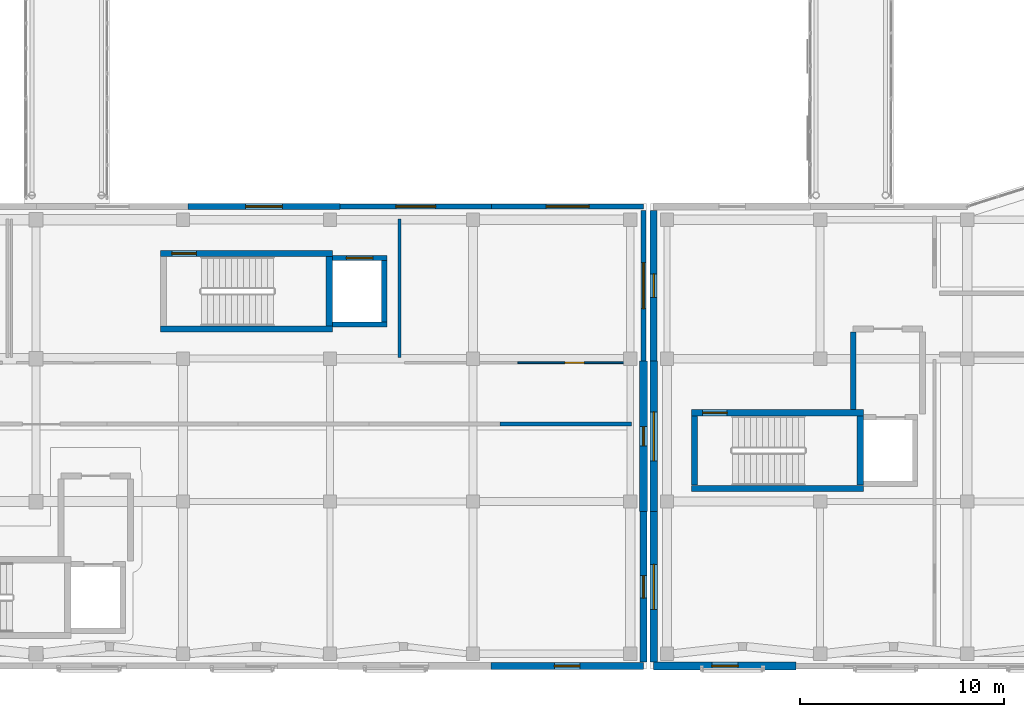
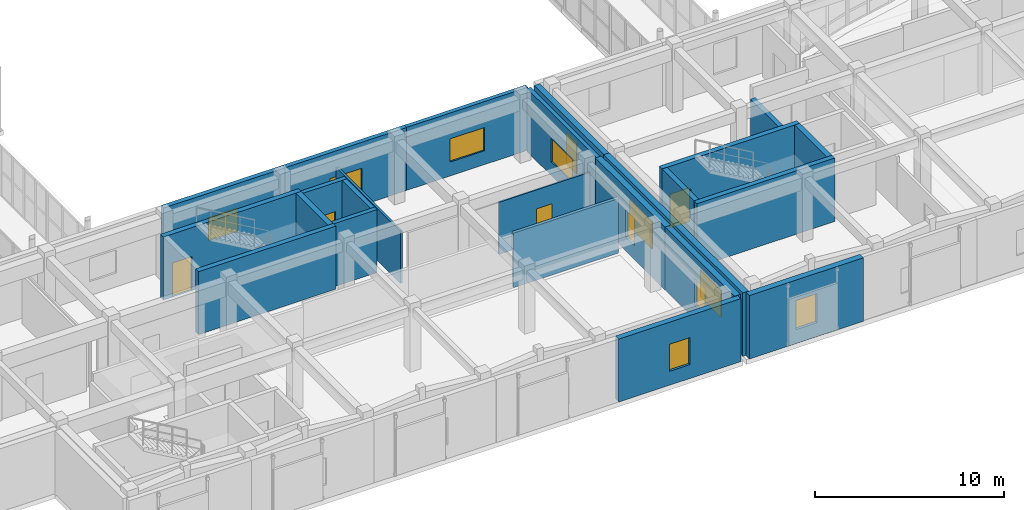
# One storey, part 118 of 142: 25 walls, 11 windows, 4 doors, 15 openings.
"""IFC4 building model written with IfcOpenShell, lengths in metres."""

from ifc_helpers import new_model, si_unit, direction, frame, frame_2d, origin, place, context, subcontext, project, spatial, rectangle, extrude, material, layer, layer_set, type_object, element, fill, save


model = new_model("IFC4")

# Units and contexts
model_context = context("Model", 3, precision=1e-05, world=origin(), true_north=direction((0.0, 1.0)))
body_context = subcontext(model_context, "Body", "Model", "MODEL_VIEW")
ifc_project = project(units=[si_unit("LENGTHUNIT", "METRE"), si_unit("AREAUNIT", "SQUARE_METRE"), si_unit("VOLUMEUNIT", "CUBIC_METRE"), si_unit("PLANEANGLEUNIT", "RADIAN"), si_unit("MASSUNIT", "GRAM", prefix="KILO")], contexts=[model_context])

# Site, building, storey
site_placement = place(None, origin())
site = spatial("IfcSite", under=ifc_project, at=site_placement, CompositionType="ELEMENT")
building_placement = place(site_placement, origin())
building = spatial("IfcBuilding", under=site, at=building_placement, Name="Valcora Specialist Clinic", CompositionType="ELEMENT")
storey_placement = place(building_placement, frame((0.0, 0.0, 5.10009765625)))
storey = spatial("IfcBuildingStorey", under=building, at=storey_placement, Name="L01", CompositionType="ELEMENT", Elevation=5.10009765625)

# Walls
ifc_material_1 = material(Name="Concrete C40/50", Category="concrete")
ifc_layer_1 = layer(ifc_material_1, 0.284912109375)
ifc_layer_set_1 = layer_set([ifc_layer_1], Name="Concrete C40/50")
wall_type_1 = type_object("IfcWallType", Name="TY-WL-CR285", PredefinedType="SHEAR", material=ifc_layer_set_1)
wall_1_placement = place(storey_placement, frame((63.419921875, 12.719970703125, 0.0), z_axis=(0.0, 0.0, 1.0), x_axis=(0.0, 1.0, 0.0)))
element("IfcWall", 1, at=wall_1_placement, inside=storey, type_object=wall_type_1, Name="Firefighting lobby west wall", PredefinedType="SHEAR", context=body_context, shape_type="SweptSolid", body=[
    extrude(rectangle(XDim=3.7900390625, YDim=0.284912109375, at=frame_2d((1.89501953125, 0.0))), origin(), (0.0, 0.0, 1.0), 3.40478515625),
])
ifc_layer_2 = layer(ifc_material_1, 0.300048828125)
ifc_layer_set_2 = layer_set([ifc_layer_2], Name="Concrete C40/50")
wall_type_2 = type_object("IfcWallType", Name="TY-WL-CR300", PredefinedType="SHEAR", material=ifc_layer_set_2)
wall_2_placement = place(storey_placement, frame((29.5, 16.64990234375, 0.0), z_axis=(0.0, 0.0, 1.0), x_axis=(1.0, 0.0, 0.0)))
element("IfcWall", 2, at=wall_2_placement, inside=storey, type_object=wall_type_2, Name="Core shear wall WL-CR-C-V5B-L01-S", PredefinedType="SHEAR", context=body_context, shape_type="SweptSolid", body=[
    extrude(rectangle(XDim=8.419921875, YDim=0.300048828125, at=frame_2d((4.2099609375, 0.0))), origin(), (0.0, 0.0, 1.0), 4.074951171875),
])

# Wall, opening, door
wall_3_placement = place(storey_placement, frame((29.5, 20.35009765625, 0.0), z_axis=(0.0, 0.0, 1.0), x_axis=(1.0, 0.0, 0.0)))
wall_3 = element("IfcWall", 3, at=wall_3_placement, inside=storey, type_object=wall_type_2, Name="Core shear wall WL-CR-C-V5B-L01-N", PredefinedType="SHEAR", context=body_context, shape_type="SweptSolid", body=[
    extrude(rectangle(XDim=8.419921875, YDim=0.300048828125, at=frame_2d((4.2099609375, 0.0))), origin(), (0.0, 0.0, 1.0), 4.074951171875),
])
opening_1_placement = place(wall_3_placement, frame((0.550048828125, 0.0, 0.0)))
opening_1 = element("IfcOpeningElement", 4, at=opening_1_placement, cuts=wall_3, Name="Opening DR-FD-120", PredefinedType="OPENING", context=body_context, shape_type="SweptSolid", body=[
    extrude(rectangle(XDim=1.199951171875, YDim=2.199951171875, at=frame_2d((0.60009765625, 1.10009765625))), frame((0.0, 0.159912109375, 0.0), z_axis=(0.0, -1.0, 0.0), x_axis=(1.0, 0.0, 0.0)), (0.0, 0.0, 1.0), 0.320068359375),
])
ifc_material_2 = material(Name="Galvanized Hollow Metal Door Steel ASTM A653", Category="steel")
door_type_1 = type_object("IfcDoorType", Name="TY-DR-ST120", OperationType="NOTDEFINED", PredefinedType="DOOR", material=ifc_material_2)
door_1_placement = place(opening_1_placement, origin())
door_1 = element("IfcDoor", 5, at=door_1_placement, inside=storey, type_object=door_type_1, Name="Exit stair fire door C-V5B L01", OperationType="SINGLE_SWING_RIGHT", OverallHeight=2.199951171875, OverallWidth=1.199951171875, PredefinedType="DOOR", context=body_context, shape_type="SweptSolid", body=[
    extrude(rectangle(XDim=1.199951171875, YDim=2.199951171875, at=frame_2d((0.60009765625, 1.10009765625))), frame((0.0, 0.02490234375, 0.0), z_axis=(0.0, -1.0, 0.0), x_axis=(1.0, 0.0, 0.0)), (0.0, 0.0, 1.0), 0.050048828125),
])
fill(opening_1, door_1)

# Wall
wall_4_placement = place(storey_placement, frame((55.5, 8.85009765625, 0.0), z_axis=(0.0, 0.0, 1.0), x_axis=(1.0, 0.0, 0.0)))
element("IfcWall", 6, at=wall_4_placement, inside=storey, type_object=wall_type_2, Name="Core shear wall WL-CR-C-V6A-L01-S", PredefinedType="SHEAR", context=body_context, shape_type="SweptSolid", body=[
    extrude(rectangle(XDim=8.419921875, YDim=0.300048828125, at=frame_2d((4.2099609375, 0.0))), origin(), (0.0, 0.0, 1.0), 4.10498046875),
])

# Wall, opening, door
wall_5_placement = place(storey_placement, frame((55.5, 12.550048828125, 0.0), z_axis=(0.0, 0.0, 1.0), x_axis=(1.0, 0.0, 0.0)))
wall_5 = element("IfcWall", 7, at=wall_5_placement, inside=storey, type_object=wall_type_2, Name="Core shear wall WL-CR-C-V6A-L01-N", PredefinedType="SHEAR", context=body_context, shape_type="SweptSolid", body=[
    extrude(rectangle(XDim=8.419921875, YDim=0.300048828125, at=frame_2d((4.2099609375, 0.0))), origin(), (0.0, 0.0, 1.0), 4.10498046875),
])
opening_2_placement = place(wall_5_placement, frame((0.550048828125, 0.0, 0.0)))
opening_2 = element("IfcOpeningElement", 8, at=opening_2_placement, cuts=wall_5, Name="Opening DR-FD-120", PredefinedType="OPENING", context=body_context, shape_type="SweptSolid", body=[
    extrude(rectangle(XDim=1.199951171875, YDim=2.199951171875, at=frame_2d((0.60009765625, 1.10009765625))), frame((0.0, 0.159912109375, 0.0), z_axis=(0.0, -1.0, 0.0), x_axis=(1.0, 0.0, 0.0)), (0.0, 0.0, 1.0), 0.320068359375),
])
door_2_placement = place(opening_2_placement, origin())
door_2 = element("IfcDoor", 9, at=door_2_placement, inside=storey, type_object=door_type_1, Name="Exit stair fire door C-V6A L01", OperationType="SINGLE_SWING_LEFT", OverallHeight=2.199951171875, OverallWidth=1.199951171875, PredefinedType="DOOR", context=body_context, shape_type="SweptSolid", body=[
    extrude(rectangle(XDim=1.199951171875, YDim=2.199951171875, at=frame_2d((0.60009765625, 1.10009765625))), frame((0.0, 0.02490234375, 0.0), z_axis=(0.0, -1.0, 0.0), x_axis=(1.0, 0.0, 0.0)), (0.0, 0.0, 1.0), 0.050048828125),
])
fill(opening_2, door_2)

# Walls
wall_6_placement = place(storey_placement, frame((55.64990234375, 9.001953125, 0.0), z_axis=(0.0, 0.0, 1.0), x_axis=(0.0, 1.0, 0.0)))
element("IfcWall", 10, at=wall_6_placement, inside=storey, type_object=wall_type_2, Name="Core shear wall WL-CR-C-V6A-L01-W", PredefinedType="SHEAR", context=body_context, shape_type="SweptSolid", body=[
    extrude(rectangle(XDim=3.39599609375, YDim=0.300048828125, at=frame_2d((1.697998046875, 0.0))), origin(), (0.0, 0.0, 1.0), 4.10498046875),
])
ifc_layer_3 = layer(ifc_material_1, 0.320068359375)
ifc_layer_set_3 = layer_set([ifc_layer_3], Name="Concrete C40/50")
wall_type_3 = type_object("IfcWallType", Name="TY-WL-CR320", PredefinedType="SHEAR", material=ifc_layer_set_3)
wall_7_placement = place(storey_placement, frame((37.760009765625, 16.802001953125, 0.0), z_axis=(0.0, 0.0, 1.0), x_axis=(0.0, 1.0, 0.0)))
element("IfcWall", 11, at=wall_7_placement, inside=storey, type_object=wall_type_3, Name="Core shear wall WL-CR-C-V5B-L01-E", PredefinedType="SHEAR", context=body_context, shape_type="SweptSolid", body=[
    extrude(rectangle(XDim=3.39599609375, YDim=0.320068359375, at=frame_2d((1.697998046875, 0.0))), origin(), (0.0, 0.0, 1.0), 4.074951171875),
])
wall_8_placement = place(storey_placement, frame((63.760009765625, 9.001953125, 0.0), z_axis=(0.0, 0.0, 1.0), x_axis=(0.0, 1.0, 0.0)))
element("IfcWall", 12, at=wall_8_placement, inside=storey, type_object=wall_type_3, Name="Core shear wall WL-CR-C-V6A-L01-E", PredefinedType="SHEAR", context=body_context, shape_type="SweptSolid", body=[
    extrude(rectangle(XDim=3.39599609375, YDim=0.320068359375, at=frame_2d((1.697998046875, 0.0))), origin(), (0.0, 0.0, 1.0), 4.10498046875),
])

# Wall, opening, window
ifc_material_3 = material(Name="Extruded Jalisco Clay Brick Masonry", Category="masonry")
ifc_layer_4 = layer(ifc_material_3, 0.235107421875)
ifc_layer_set_4 = layer_set([ifc_layer_4], Name="Extruded Jalisco Clay Brick Masonry")
wall_type_4 = type_object("IfcWallType", Name="TY-WL-EW235", PredefinedType="SOLIDWALL", material=ifc_layer_set_4)
wall_9_placement = place(storey_placement, frame((53.14990234375, 22.4599609375, 0.0), z_axis=(0.0, 0.0, 1.0), x_axis=(0.0, -1.0, 0.0)))
wall_9 = element("IfcWall", 13, at=wall_9_placement, inside=storey, type_object=wall_type_4, Name="Exterior wall WL-EXT-L01-0250", PredefinedType="SOLIDWALL", context=body_context, shape_type="SweptSolid", body=[
    extrude(rectangle(XDim=7.373291015625, YDim=0.235107421875, at=frame_2d((3.6865234375, 0.0))), origin(), (0.0, 0.0, 1.0), 4.074951171875),
])
opening_3_placement = place(wall_9_placement, frame((2.56201171875, 0.0, 0.89990234375)))
opening_3 = element("IfcOpeningElement", 14, at=opening_3_placement, cuts=wall_9, Name="Opening WN-10", PredefinedType="OPENING", context=body_context, shape_type="SweptSolid", body=[
    extrude(rectangle(XDim=2.25, YDim=1.5, at=frame_2d((1.125, 0.75))), frame((0.0, 0.12744140625, 0.0), z_axis=(0.0, -1.0, 0.0), x_axis=(1.0, 0.0, 0.0)), (0.0, 0.0, 1.0), 0.255126953125),
])
ifc_material_4 = material(Name="Low-E Laminated Insulating Glass", Category="glass")
window_type_1 = type_object("IfcWindowType", Name="TY-WN-10", PartitioningType="SINGLE_PANEL", PredefinedType="WINDOW", material=ifc_material_4)
window_1_placement = place(opening_3_placement, origin())
window_1 = element("IfcWindow", 15, at=window_1_placement, inside=storey, type_object=window_type_1, Name="Facade window WN-L01-0220", OverallHeight=1.5, OverallWidth=2.25, PartitioningType="SINGLE_PANEL", PredefinedType="WINDOW", context=body_context, shape_type="SweptSolid", body=[
    extrude(rectangle(XDim=2.25, YDim=1.5, at=frame_2d((1.125, 0.75))), frame((0.0, 0.030029296875, 0.0), z_axis=(0.0, -1.0, 0.0), x_axis=(1.0, 0.0, 0.0)), (0.0, 0.0, 1.0), 0.06005859375),
])
fill(opening_3, window_1)

ifc_layer_5 = layer(ifc_material_3, 0.25)
ifc_layer_set_5 = layer_set([ifc_layer_5], Name="Extruded Jalisco Clay Brick Masonry")
wall_type_5 = type_object("IfcWallType", Name="TY-WL-EW250", PredefinedType="SOLIDWALL", material=ifc_layer_set_5)
wall_10_placement = place(storey_placement, frame((45.716796875, 22.64990234375, 0.0), z_axis=(0.0, 0.0, 1.0), x_axis=(1.0, 0.0, 0.0)))
wall_10 = element("IfcWall", 16, at=wall_10_placement, inside=storey, type_object=wall_type_5, Name="Exterior wall WL-EXT-L01-0249", PredefinedType="SOLIDWALL", context=body_context, shape_type="SweptSolid", body=[
    extrude(rectangle(XDim=7.43310546875, YDim=0.25, at=frame_2d((3.716552734375, 0.0))), origin(), (0.0, 0.0, 1.0), 4.074951171875),
])
opening_4_placement = place(wall_10_placement, frame((2.6669921875, 0.0, 0.89990234375)))
opening_4 = element("IfcOpeningElement", 17, at=opening_4_placement, cuts=wall_10, Name="Opening WN-09", PredefinedType="OPENING", context=body_context, shape_type="SweptSolid", body=[
    extrude(rectangle(XDim=2.10009765625, YDim=1.5, at=frame_2d((1.050048828125, 0.75))), frame((0.0, 0.135009765625, 0.0), z_axis=(0.0, -1.0, 0.0), x_axis=(1.0, 0.0, 0.0)), (0.0, 0.0, 1.0), 0.27001953125),
])
window_type_2 = type_object("IfcWindowType", Name="TY-WN-09", PartitioningType="SINGLE_PANEL", PredefinedType="WINDOW", material=ifc_material_4)
window_2_placement = place(opening_4_placement, origin())
window_2 = element("IfcWindow", 18, at=window_2_placement, inside=storey, type_object=window_type_2, Name="Facade window WN-L01-0219", OverallHeight=1.5, OverallWidth=2.10009765625, PartitioningType="SINGLE_PANEL", PredefinedType="WINDOW", context=body_context, shape_type="SweptSolid", body=[
    extrude(rectangle(XDim=2.10009765625, YDim=1.5, at=frame_2d((1.050048828125, 0.75))), frame((0.0, 0.030029296875, 0.0), z_axis=(0.0, -1.0, 0.0), x_axis=(1.0, 0.0, 0.0)), (0.0, 0.0, 1.0), 0.06005859375),
])
fill(opening_4, window_2)

ifc_layer_6 = layer(ifc_material_3, 0.264892578125)
ifc_layer_set_6 = layer_set([ifc_layer_6], Name="Extruded Jalisco Clay Brick Masonry")
wall_type_6 = type_object("IfcWallType", Name="TY-WL-EW265", PredefinedType="SOLIDWALL", material=ifc_layer_set_6)
wall_11_placement = place(storey_placement, frame((38.283203125, 22.64990234375, 0.0), z_axis=(0.0, 0.0, 1.0), x_axis=(1.0, 0.0, 0.0)))
wall_11 = element("IfcWall", 19, at=wall_11_placement, inside=storey, type_object=wall_type_6, Name="Exterior wall WL-EXT-L01-0248", PredefinedType="SOLIDWALL", context=body_context, shape_type="SweptSolid", body=[
    extrude(rectangle(XDim=7.43359375, YDim=0.264892578125, at=frame_2d((3.716796875, 0.0))), origin(), (0.0, 0.0, 1.0), 4.074951171875),
])
opening_5_placement = place(wall_11_placement, frame((2.741943359375, 0.0, 0.89990234375)))
opening_5 = element("IfcOpeningElement", 20, at=opening_5_placement, cuts=wall_11, Name="Opening WN-08", PredefinedType="OPENING", context=body_context, shape_type="SweptSolid", body=[
    extrude(rectangle(XDim=1.949951171875, YDim=1.5, at=frame_2d((0.97509765625, 0.75))), frame((0.0, 0.142333984375, 0.0), z_axis=(0.0, -1.0, 0.0), x_axis=(1.0, 0.0, 0.0)), (0.0, 0.0, 1.0), 0.284912109375),
])
window_type_3 = type_object("IfcWindowType", Name="TY-WN-08", PartitioningType="SINGLE_PANEL", PredefinedType="WINDOW", material=ifc_material_4)
window_3_placement = place(opening_5_placement, origin())
window_3 = element("IfcWindow", 21, at=window_3_placement, inside=storey, type_object=window_type_3, Name="Facade window WN-L01-0218", OverallHeight=1.5, OverallWidth=1.949951171875, PartitioningType="SINGLE_PANEL", PredefinedType="WINDOW", context=body_context, shape_type="SweptSolid", body=[
    extrude(rectangle(XDim=1.949951171875, YDim=1.5, at=frame_2d((0.97509765625, 0.75))), frame((0.0, 0.030029296875, 0.0), z_axis=(0.0, -1.0, 0.0), x_axis=(1.0, 0.0, 0.0)), (0.0, 0.0, 1.0), 0.06005859375),
])
fill(opening_5, window_3)

ifc_layer_7 = layer(ifc_material_3, 0.280029296875)
ifc_layer_set_7 = layer_set([ifc_layer_7], Name="Extruded Jalisco Clay Brick Masonry")
wall_type_7 = type_object("IfcWallType", Name="TY-WL-EW280", PredefinedType="SOLIDWALL", material=ifc_layer_set_7)
wall_12_placement = place(storey_placement, frame((30.85009765625, 22.64990234375, 0.0), z_axis=(0.0, 0.0, 1.0), x_axis=(1.0, 0.0, 0.0)))
wall_12 = element("IfcWall", 22, at=wall_12_placement, inside=storey, type_object=wall_type_7, Name="Exterior wall WL-EXT-L01-0247", PredefinedType="SOLIDWALL", context=body_context, shape_type="SweptSolid", body=[
    extrude(rectangle(XDim=7.43310546875, YDim=0.280029296875, at=frame_2d((3.716552734375, 0.0))), origin(), (0.0, 0.0, 1.0), 4.074951171875),
])
opening_6_placement = place(wall_12_placement, frame((2.81689453125, 0.0, 0.89990234375)))
opening_6 = element("IfcOpeningElement", 23, at=opening_6_placement, cuts=wall_12, Name="Opening WN-07", PredefinedType="OPENING", context=body_context, shape_type="SweptSolid", body=[
    extrude(rectangle(XDim=1.800048828125, YDim=1.5, at=frame_2d((0.89990234375, 0.75))), frame((0.0, 0.14990234375, 0.0), z_axis=(0.0, -1.0, 0.0), x_axis=(1.0, 0.0, 0.0)), (0.0, 0.0, 1.0), 0.300048828125),
])
window_type_4 = type_object("IfcWindowType", Name="TY-WN-07", PartitioningType="SINGLE_PANEL", PredefinedType="WINDOW", material=ifc_material_4)
window_4_placement = place(opening_6_placement, origin())
window_4 = element("IfcWindow", 24, at=window_4_placement, inside=storey, type_object=window_type_4, Name="Facade window WN-L01-0217", OverallHeight=1.5, OverallWidth=1.800048828125, PartitioningType="SINGLE_PANEL", PredefinedType="WINDOW", context=body_context, shape_type="SweptSolid", body=[
    extrude(rectangle(XDim=1.800048828125, YDim=1.5, at=frame_2d((0.89990234375, 0.75))), frame((0.0, 0.030029296875, 0.0), z_axis=(0.0, -1.0, 0.0), x_axis=(1.0, 0.0, 0.0)), (0.0, 0.0, 1.0), 0.06005859375),
])
fill(opening_6, window_4)

ifc_layer_8 = layer(ifc_material_3, 0.340087890625)
ifc_layer_set_8 = layer_set([ifc_layer_8], Name="Extruded Jalisco Clay Brick Masonry")
wall_type_8 = type_object("IfcWallType", Name="TY-WL-EW340", PredefinedType="SOLIDWALL", material=ifc_layer_set_8)
wall_13_placement = place(storey_placement, frame((53.14990234375, 0.14990234375, 0.0), z_axis=(0.0, 0.0, 1.0), x_axis=(-1.0, 0.0, 0.0)))
wall_13 = element("IfcWall", 25, at=wall_13_placement, inside=storey, type_object=wall_type_8, Name="Exterior wall WL-EXT-L01-0253", PredefinedType="SOLIDWALL", context=body_context, shape_type="SweptSolid", body=[
    extrude(rectangle(XDim=7.47998046875, YDim=0.340087890625, at=frame_2d((3.739990234375, 0.0))), origin(), (0.0, 0.0, 1.0), 4.074951171875),
])
opening_7_placement = place(wall_13_placement, frame((3.114990234375, 0.0, 0.89990234375)))
opening_7 = element("IfcOpeningElement", 26, at=opening_7_placement, cuts=wall_13, Name="Opening WN-13", PredefinedType="OPENING", context=body_context, shape_type="SweptSolid", body=[
    extrude(rectangle(XDim=1.25, YDim=1.75, at=frame_2d((0.625, 0.875))), frame((0.0, 0.179931640625, 0.0), z_axis=(0.0, -1.0, 0.0), x_axis=(1.0, 0.0, 0.0)), (0.0, 0.0, 1.0), 0.360107421875),
])
window_type_5 = type_object("IfcWindowType", Name="TY-WN-13", PartitioningType="SINGLE_PANEL", PredefinedType="WINDOW", material=ifc_material_4)
window_5_placement = place(opening_7_placement, origin())
window_5 = element("IfcWindow", 27, at=window_5_placement, inside=storey, type_object=window_type_5, Name="Facade window WN-L01-0223", OverallHeight=1.75, OverallWidth=1.25, PartitioningType="SINGLE_PANEL", PredefinedType="WINDOW", context=body_context, shape_type="SweptSolid", body=[
    extrude(rectangle(XDim=1.25, YDim=1.75, at=frame_2d((0.625, 0.875))), frame((0.0, 0.030029296875, 0.0), z_axis=(0.0, -1.0, 0.0), x_axis=(1.0, 0.0, 0.0)), (0.0, 0.0, 1.0), 0.06005859375),
])
fill(opening_7, window_5)

wall_14_placement = place(storey_placement, frame((53.64990234375, 15.086669921875, 0.0), z_axis=(0.0, 0.0, 1.0), x_axis=(0.0, 1.0, 0.0)))
wall_14 = element("IfcWall", 28, at=wall_14_placement, inside=storey, type_object=wall_type_8, Name="Exterior wall WL-EXT-L01-0323", PredefinedType="SOLIDWALL", context=body_context, shape_type="SweptSolid", body=[
    extrude(rectangle(XDim=7.373291015625, YDim=0.340087890625, at=frame_2d((3.6865234375, 0.0))), origin(), (0.0, 0.0, 1.0), 4.10498046875),
])
opening_8_placement = place(wall_14_placement, frame((3.112060546875, 0.0, 0.89990234375)))
opening_8 = element("IfcOpeningElement", 29, at=opening_8_placement, cuts=wall_14, Name="Opening WN-21", PredefinedType="OPENING", context=body_context, shape_type="SweptSolid", body=[
    extrude(rectangle(XDim=1.14990234375, YDim=2.0, at=frame_2d((0.574951171875, 1.0))), frame((0.0, 0.179931640625, 0.0), z_axis=(0.0, -1.0, 0.0), x_axis=(1.0, 0.0, 0.0)), (0.0, 0.0, 1.0), 0.360107421875),
])
window_type_6 = type_object("IfcWindowType", Name="TY-WN-21", PartitioningType="SINGLE_PANEL", PredefinedType="WINDOW", material=ifc_material_4)
window_6_placement = place(opening_8_placement, origin())
window_6 = element("IfcWindow", 30, at=window_6_placement, inside=storey, type_object=window_type_6, Name="Facade window WN-L01-0273", OverallHeight=2.0, OverallWidth=1.14990234375, PartitioningType="SINGLE_PANEL", PredefinedType="WINDOW", context=body_context, shape_type="SweptSolid", body=[
    extrude(rectangle(XDim=1.14990234375, YDim=2.0, at=frame_2d((0.574951171875, 1.0))), frame((0.0, 0.030029296875, 0.0), z_axis=(0.0, -1.0, 0.0), x_axis=(1.0, 0.0, 0.0)), (0.0, 0.0, 1.0), 0.06005859375),
])
fill(opening_8, window_6)

ifc_layer_9 = layer(ifc_material_3, 0.35498046875)
ifc_layer_set_9 = layer_set([ifc_layer_9], Name="Extruded Jalisco Clay Brick Masonry")
wall_type_9 = type_object("IfcWallType", Name="TY-WL-EW355", PredefinedType="SOLIDWALL", material=ifc_layer_set_9)
wall_15_placement = place(storey_placement, frame((53.14990234375, 7.71337890625, 0.0), z_axis=(0.0, 0.0, 1.0), x_axis=(0.0, -1.0, 0.0)))
wall_15 = element("IfcWall", 31, at=wall_15_placement, inside=storey, type_object=wall_type_9, Name="Exterior wall WL-EXT-L01-0252", PredefinedType="SOLIDWALL", context=body_context, shape_type="SweptSolid", body=[
    extrude(rectangle(XDim=7.373291015625, YDim=0.35498046875, at=frame_2d((3.6865234375, 0.0))), origin(), (0.0, 0.0, 1.0), 4.074951171875),
])
opening_9_placement = place(wall_15_placement, frame((3.136962890625, 0.0, 0.89990234375)))
opening_9 = element("IfcOpeningElement", 32, at=opening_9_placement, cuts=wall_15, Name="Opening WN-12", PredefinedType="OPENING", context=body_context, shape_type="SweptSolid", body=[
    extrude(rectangle(XDim=1.10009765625, YDim=1.75, at=frame_2d((0.550048828125, 0.875))), frame((0.0, 0.1875, 0.0), z_axis=(0.0, -1.0, 0.0), x_axis=(1.0, 0.0, 0.0)), (0.0, 0.0, 1.0), 0.375),
])
window_type_7 = type_object("IfcWindowType", Name="TY-WN-12", PartitioningType="SINGLE_PANEL", PredefinedType="WINDOW", material=ifc_material_4)
window_7_placement = place(opening_9_placement, origin())
window_7 = element("IfcWindow", 33, at=window_7_placement, inside=storey, type_object=window_type_7, Name="Facade window WN-L01-0222", OverallHeight=1.75, OverallWidth=1.10009765625, PartitioningType="SINGLE_PANEL", PredefinedType="WINDOW", context=body_context, shape_type="SweptSolid", body=[
    extrude(rectangle(XDim=1.10009765625, YDim=1.75, at=frame_2d((0.550048828125, 0.875))), frame((0.0, 0.030029296875, 0.0), z_axis=(0.0, -1.0, 0.0), x_axis=(1.0, 0.0, 0.0)), (0.0, 0.0, 1.0), 0.06005859375),
])
fill(opening_9, window_7)

wall_16_placement = place(storey_placement, frame((53.64990234375, 7.71337890625, 0.0), z_axis=(0.0, 0.0, 1.0), x_axis=(0.0, 1.0, 0.0)))
wall_16 = element("IfcWall", 34, at=wall_16_placement, inside=storey, type_object=wall_type_9, Name="Exterior wall WL-EXT-L01-0322", PredefinedType="SOLIDWALL", context=body_context, shape_type="SweptSolid", body=[
    extrude(rectangle(XDim=7.373291015625, YDim=0.35498046875, at=frame_2d((3.6865234375, 0.0))), origin(), (0.0, 0.0, 1.0), 4.10498046875),
])
opening_10_placement = place(wall_16_placement, frame((2.487060546875, 0.0, 0.89990234375)))
opening_10 = element("IfcOpeningElement", 35, at=opening_10_placement, cuts=wall_16, Name="Opening WN-20", PredefinedType="OPENING", context=body_context, shape_type="SweptSolid", body=[
    extrude(rectangle(XDim=2.39990234375, YDim=1.75, at=frame_2d((1.199951171875, 0.875))), frame((0.0, 0.1875, 0.0), z_axis=(0.0, -1.0, 0.0), x_axis=(1.0, 0.0, 0.0)), (0.0, 0.0, 1.0), 0.375),
])
window_type_8 = type_object("IfcWindowType", Name="TY-WN-20", PartitioningType="SINGLE_PANEL", PredefinedType="WINDOW", material=ifc_material_4)
window_8_placement = place(opening_10_placement, origin())
window_8 = element("IfcWindow", 36, at=window_8_placement, inside=storey, type_object=window_type_8, Name="Facade window WN-L01-0272", OverallHeight=1.75, OverallWidth=2.39990234375, PartitioningType="SINGLE_PANEL", PredefinedType="WINDOW", context=body_context, shape_type="SweptSolid", body=[
    extrude(rectangle(XDim=2.39990234375, YDim=1.75, at=frame_2d((1.199951171875, 0.875))), frame((0.0, 0.030029296875, 0.0), z_axis=(0.0, -1.0, 0.0), x_axis=(1.0, 0.0, 0.0)), (0.0, 0.0, 1.0), 0.06005859375),
])
fill(opening_10, window_8)

ifc_layer_10 = layer(ifc_material_3, 0.3701171875)
ifc_layer_set_10 = layer_set([ifc_layer_10], Name="Extruded Jalisco Clay Brick Masonry")
wall_type_10 = type_object("IfcWallType", Name="TY-WL-EW370", PredefinedType="SOLIDWALL", material=ifc_layer_set_10)
wall_17_placement = place(storey_placement, frame((53.14990234375, 15.086669921875, 0.0), z_axis=(0.0, 0.0, 1.0), x_axis=(0.0, -1.0, 0.0)))
wall_17 = element("IfcWall", 37, at=wall_17_placement, inside=storey, type_object=wall_type_10, Name="Exterior wall WL-EXT-L01-0251", PredefinedType="SOLIDWALL", context=body_context, shape_type="SweptSolid", body=[
    extrude(rectangle(XDim=7.373291015625, YDim=0.3701171875, at=frame_2d((3.6865234375, 0.0))), origin(), (0.0, 0.0, 1.0), 4.074951171875),
])
opening_11_placement = place(wall_17_placement, frame((3.2119140625, 0.0, 0.89990234375)))
opening_11 = element("IfcOpeningElement", 38, at=opening_11_placement, cuts=wall_17, Name="Opening WN-11", PredefinedType="OPENING", context=body_context, shape_type="SweptSolid", body=[
    extrude(rectangle(XDim=0.949951171875, YDim=1.75, at=frame_2d((0.47509765625, 0.875))), frame((0.0, 0.195068359375, 0.0), z_axis=(0.0, -1.0, 0.0), x_axis=(1.0, 0.0, 0.0)), (0.0, 0.0, 1.0), 0.39013671875),
])
window_type_9 = type_object("IfcWindowType", Name="TY-WN-11", PartitioningType="SINGLE_PANEL", PredefinedType="WINDOW", material=ifc_material_4)
window_9_placement = place(opening_11_placement, origin())
window_9 = element("IfcWindow", 39, at=window_9_placement, inside=storey, type_object=window_type_9, Name="Facade window WN-L01-0221", OverallHeight=1.75, OverallWidth=0.949951171875, PartitioningType="SINGLE_PANEL", PredefinedType="WINDOW", context=body_context, shape_type="SweptSolid", body=[
    extrude(rectangle(XDim=0.949951171875, YDim=1.75, at=frame_2d((0.47509765625, 0.875))), frame((0.0, 0.030029296875, 0.0), z_axis=(0.0, -1.0, 0.0), x_axis=(1.0, 0.0, 0.0)), (0.0, 0.0, 1.0), 0.06005859375),
])
fill(opening_11, window_9)

wall_18_placement = place(storey_placement, frame((53.64990234375, 0.340087890625, 0.0), z_axis=(0.0, 0.0, 1.0), x_axis=(0.0, 1.0, 0.0)))
wall_18 = element("IfcWall", 40, at=wall_18_placement, inside=storey, type_object=wall_type_10, Name="Exterior wall WL-EXT-L01-0321", PredefinedType="SOLIDWALL", context=body_context, shape_type="SweptSolid", body=[
    extrude(rectangle(XDim=7.373291015625, YDim=0.3701171875, at=frame_2d((3.6865234375, 0.0))), origin(), (0.0, 0.0, 1.0), 4.10498046875),
])
opening_12_placement = place(wall_18_placement, frame((2.5869140625, 0.0, 0.89990234375)))
opening_12 = element("IfcOpeningElement", 41, at=opening_12_placement, cuts=wall_18, Name="Opening WN-19", PredefinedType="OPENING", context=body_context, shape_type="SweptSolid", body=[
    extrude(rectangle(XDim=2.199951171875, YDim=1.75, at=frame_2d((1.10009765625, 0.875))), frame((0.0, 0.195068359375, 0.0), z_axis=(0.0, -1.0, 0.0), x_axis=(1.0, 0.0, 0.0)), (0.0, 0.0, 1.0), 0.39013671875),
])
window_type_10 = type_object("IfcWindowType", Name="TY-WN-19", PartitioningType="SINGLE_PANEL", PredefinedType="WINDOW", material=ifc_material_4)
window_10_placement = place(opening_12_placement, origin())
window_10 = element("IfcWindow", 42, at=window_10_placement, inside=storey, type_object=window_type_10, Name="Facade window WN-L01-0271", OverallHeight=1.75, OverallWidth=2.199951171875, PartitioningType="SINGLE_PANEL", PredefinedType="WINDOW", context=body_context, shape_type="SweptSolid", body=[
    extrude(rectangle(XDim=2.199951171875, YDim=1.75, at=frame_2d((1.10009765625, 0.875))), frame((0.0, 0.030029296875, 0.0), z_axis=(0.0, -1.0, 0.0), x_axis=(1.0, 0.0, 0.0)), (0.0, 0.0, 1.0), 0.06005859375),
])
fill(opening_12, window_10)

wall_19_placement = place(storey_placement, frame((60.6298828125, 0.14990234375, 0.0), z_axis=(0.0, 0.0, 1.0), x_axis=(-1.0, 0.0, 0.0)))
wall_19 = element("IfcWall", 43, at=wall_19_placement, inside=storey, type_object=wall_type_10, Name="Exterior wall WL-EXT-L01-0341", PredefinedType="SOLIDWALL", context=body_context, shape_type="SweptSolid", body=[
    extrude(rectangle(XDim=6.97998046875, YDim=0.3701171875, at=frame_2d((3.489990234375, 0.0))), origin(), (0.0, 0.0, 1.0), 4.10498046875),
])
opening_13_placement = place(wall_19_placement, frame((2.85009765625, 0.0, 0.89990234375)))
opening_13 = element("IfcOpeningElement", 44, at=opening_13_placement, cuts=wall_19, Name="Opening WN-39", PredefinedType="OPENING", context=body_context, shape_type="SweptSolid", body=[
    extrude(rectangle(XDim=1.280029296875, YDim=1.8798828125, at=frame_2d((0.64013671875, 0.93994140625))), frame((0.0, 0.195068359375, 0.0), z_axis=(0.0, -1.0, 0.0), x_axis=(1.0, 0.0, 0.0)), (0.0, 0.0, 1.0), 0.39013671875),
])
window_type_11 = type_object("IfcWindowType", Name="TY-WN-39", PartitioningType="SINGLE_PANEL", PredefinedType="WINDOW", material=ifc_material_4)
window_11_placement = place(opening_13_placement, origin())
window_11 = element("IfcWindow", 45, at=window_11_placement, inside=storey, type_object=window_type_11, Name="Facade window WN-L01-0291", OverallHeight=1.8798828125, OverallWidth=1.280029296875, PartitioningType="SINGLE_PANEL", PredefinedType="WINDOW", context=body_context, shape_type="SweptSolid", body=[
    extrude(rectangle(XDim=1.280029296875, YDim=1.8798828125, at=frame_2d((0.64013671875, 0.93994140625))), frame((0.0, 0.030029296875, 0.0), z_axis=(0.0, -1.0, 0.0), x_axis=(1.0, 0.0, 0.0)), (0.0, 0.0, 1.0), 0.06005859375),
])
fill(opening_13, window_11)

# Wall, opening, door
ifc_material_5 = material(Name="Gypsum Board Partition Assembly")
ifc_layer_11 = layer(ifc_material_5, 0.094970703125)
ifc_layer_set_11 = layer_set([ifc_layer_11], Name="Gypsum Board Partition Assembly")
wall_type_11 = type_object("IfcWallType", Name="TY-WL-PT095", PredefinedType="PARTITIONING", material=ifc_layer_set_11)
wall_20_placement = place(storey_placement, frame((52.550048828125, 15.0, 0.0), z_axis=(0.0, 0.0, 1.0), x_axis=(-1.0, 0.0, 0.0)))
wall_20 = element("IfcWall", 46, at=wall_20_placement, inside=storey, type_object=wall_type_11, Name="Interior partition WL-INT-L01-0251", PredefinedType="PARTITIONING", context=body_context, shape_type="SweptSolid", body=[
    extrude(rectangle(XDim=5.550048828125, YDim=0.094970703125, at=frame_2d((2.77490234375, 0.0))), origin(), (0.0, 0.0, 1.0), 3.375),
])
opening_14_placement = place(wall_20_placement, frame((2.300048828125, 0.0, 0.0)))
opening_14 = element("IfcOpeningElement", 47, at=opening_14_placement, cuts=wall_20, Name="Opening DR-WC-095", PredefinedType="OPENING", context=body_context, shape_type="SweptSolid", body=[
    extrude(rectangle(XDim=0.949951171875, YDim=2.14990234375, at=frame_2d((0.47509765625, 1.074951171875))), frame((0.0, 0.057373046875, 0.0), z_axis=(0.0, -1.0, 0.0), x_axis=(1.0, 0.0, 0.0)), (0.0, 0.0, 1.0), 0.114990234375),
])
ifc_material_6 = material(Name="Glulam Conifer Class 24F", Category="wood")
door_type_2 = type_object("IfcDoorType", Name="TY-DR-WC095", OperationType="NOTDEFINED", PredefinedType="DOOR", material=ifc_material_6)
door_3_placement = place(opening_14_placement, origin())
door_3 = element("IfcDoor", 48, at=door_3_placement, inside=storey, type_object=door_type_2, Name="Interior door DR-INT-L01-0070", OperationType="SINGLE_SWING_RIGHT", OverallHeight=2.14990234375, OverallWidth=0.949951171875, PredefinedType="DOOR", context=body_context, shape_type="SweptSolid", body=[
    extrude(rectangle(XDim=0.949951171875, YDim=2.14990234375, at=frame_2d((0.47509765625, 1.074951171875))), frame((0.0, 0.02490234375, 0.0), z_axis=(0.0, -1.0, 0.0), x_axis=(1.0, 0.0, 0.0)), (0.0, 0.0, 1.0), 0.050048828125),
])
fill(opening_14, door_3)

# Walls
ifc_layer_12 = layer(ifc_material_5, 0.135009765625)
ifc_layer_set_12 = layer_set([ifc_layer_12], Name="Gypsum Board Partition Assembly")
wall_type_12 = type_object("IfcWallType", Name="TY-WL-PT135", PredefinedType="PARTITIONING", material=ifc_layer_set_12)
wall_21_placement = place(storey_placement, frame((41.199951171875, 15.25, 0.0), z_axis=(0.0, 0.0, 1.0), x_axis=(0.0, 1.0, 0.0)))
element("IfcWall", 49, at=wall_21_placement, inside=storey, type_object=wall_type_12, Name="Interior partition WL-INT-L01-0253", PredefinedType="PARTITIONING", context=body_context, shape_type="SweptSolid", body=[
    extrude(rectangle(XDim=6.800048828125, YDim=0.135009765625, at=frame_2d((3.39990234375, 0.0))), origin(), (0.0, 0.0, 1.0), 3.375),
])
ifc_layer_13 = layer(ifc_material_5, 0.18505859375)
ifc_layer_set_13 = layer_set([ifc_layer_13], Name="Gypsum Board Partition Assembly")
wall_type_13 = type_object("IfcWallType", Name="TY-WL-PT185", PredefinedType="PARTITIONING", material=ifc_layer_set_13)
wall_22_placement = place(storey_placement, frame((46.1298828125, 12.0, 0.0), z_axis=(0.0, 0.0, 1.0), x_axis=(1.0, 0.0, 0.0)))
element("IfcWall", 50, at=wall_22_placement, inside=storey, type_object=wall_type_13, Name="Interior partition WL-INT-L01-0244", PredefinedType="PARTITIONING", context=body_context, shape_type="SweptSolid", body=[
    extrude(rectangle(XDim=6.420166015625, YDim=0.18505859375, at=frame_2d((3.2099609375, 0.0))), origin(), (0.0, 0.0, 1.0), 3.52490234375),
])
ifc_layer_14 = layer(ifc_material_1, 0.260009765625)
ifc_layer_set_14 = layer_set([ifc_layer_14], Name="Concrete C40/50")
wall_type_14 = type_object("IfcWallType", Name="TY-WL-SH260", PredefinedType="SHEAR", material=ifc_layer_set_14)
wall_23_placement = place(storey_placement, frame((37.922119140625, 16.8701171875, 0.0), z_axis=(0.0, 0.0, 1.0), x_axis=(1.0, 0.0, 0.0)))
element("IfcWall", 51, at=wall_23_placement, inside=storey, type_object=wall_type_14, Name="Lift shaft wall WL-LF-LF-06-L01-LS", PredefinedType="SHEAR", context=body_context, shape_type="SweptSolid", body=[
    extrude(rectangle(XDim=2.657958984375, YDim=0.260009765625, at=frame_2d((1.3291015625, 0.0))), origin(), (0.0, 0.0, 1.0), 4.074951171875),
])

# Wall, opening, door
wall_24_placement = place(storey_placement, frame((37.922119140625, 20.1298828125, 0.0), z_axis=(0.0, 0.0, 1.0), x_axis=(1.0, 0.0, 0.0)))
wall_24 = element("IfcWall", 52, at=wall_24_placement, inside=storey, type_object=wall_type_14, Name="Lift shaft wall WL-LF-LF-06-L01-LN", PredefinedType="SHEAR", context=body_context, shape_type="SweptSolid", body=[
    extrude(rectangle(XDim=2.657958984375, YDim=0.260009765625, at=frame_2d((1.3291015625, 0.0))), origin(), (0.0, 0.0, 1.0), 4.074951171875),
])
opening_15_placement = place(wall_24_placement, frame((0.678955078125, 0.0, 0.0)))
opening_15 = element("IfcOpeningElement", 53, at=opening_15_placement, cuts=wall_24, Name="Opening LD-130", PredefinedType="OPENING", context=body_context, shape_type="SweptSolid", body=[
    extrude(rectangle(XDim=1.300048828125, YDim=2.199951171875, at=frame_2d((0.64990234375, 1.10009765625))), frame((0.0, 0.139892578125, 0.0), z_axis=(0.0, -1.0, 0.0), x_axis=(1.0, 0.0, 0.0)), (0.0, 0.0, 1.0), 0.280029296875),
])
ifc_material_7 = material(Name="Stainless Steel AISI 316", Category="steel")
door_type_3 = type_object("IfcDoorType", Name="TY-LD-130", OperationType="NOTDEFINED", PredefinedType="DOOR", material=ifc_material_7)
door_4_placement = place(opening_15_placement, origin())
door_4 = element("IfcDoor", 54, at=door_4_placement, inside=storey, type_object=door_type_3, Name="Lift landing sliding door LF-06 L01", OperationType="SLIDING_TO_RIGHT", OverallHeight=2.199951171875, OverallWidth=1.300048828125, PredefinedType="DOOR", context=body_context, shape_type="SweptSolid", body=[
    extrude(rectangle(XDim=1.300048828125, YDim=2.199951171875, at=frame_2d((0.64990234375, 1.10009765625))), frame((0.0, 0.02490234375, 0.0), z_axis=(0.0, -1.0, 0.0), x_axis=(1.0, 0.0, 0.0)), (0.0, 0.0, 1.0), 0.050048828125),
])
fill(opening_15, door_4)

# Wall
wall_25_placement = place(storey_placement, frame((40.449951171875, 17.001953125, 0.0), z_axis=(0.0, 0.0, 1.0), x_axis=(0.0, 1.0, 0.0)))
element("IfcWall", 55, at=wall_25_placement, inside=storey, type_object=wall_type_14, Name="Lift shaft wall WL-LF-LF-06-L01-LE", PredefinedType="SHEAR", context=body_context, shape_type="SweptSolid", body=[
    extrude(rectangle(XDim=2.99609375, YDim=0.260009765625, at=frame_2d((1.498046875, 0.0))), origin(), (0.0, 0.0, 1.0), 4.074951171875),
])

save(model, "model.ifc")
